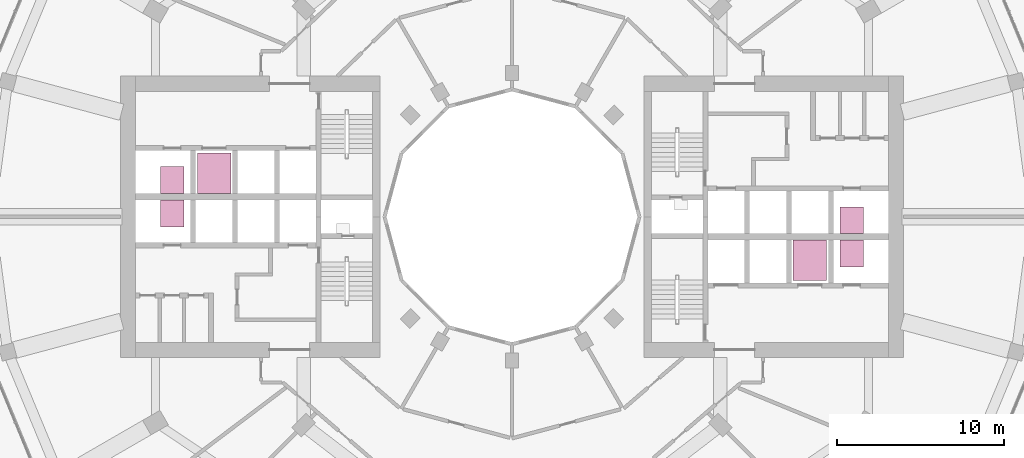
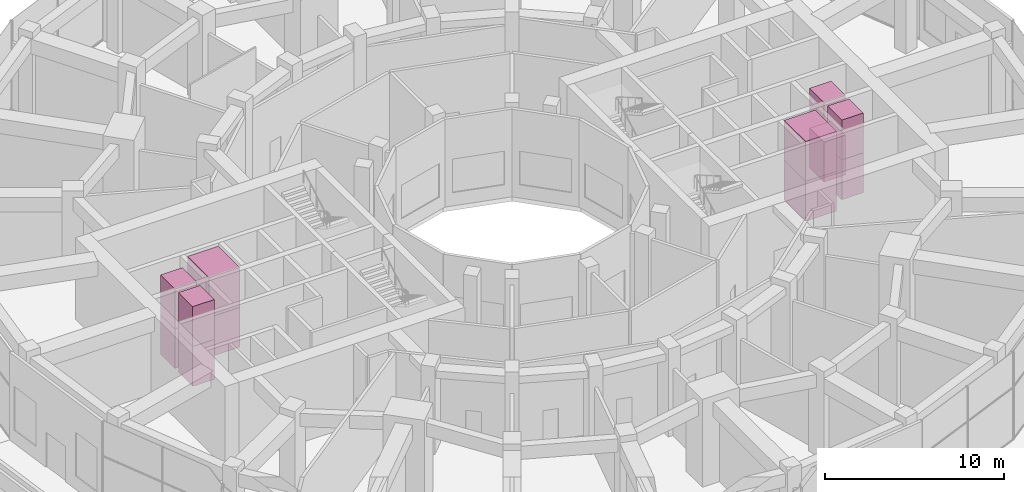
# One storey, part 23 of 23: 12 transport elements.
"""IFC4 building model written with IfcOpenShell, lengths in metres."""

from ifc_helpers import new_model, si_unit, direction, frame, origin, origin_2d, place, context, subcontext, project, spatial, rectangle, extrude, material, type_object, element, save


model = new_model("IFC4")

# Units and contexts
model_context = context("Model", 3, precision=1e-05, world=origin(), true_north=direction((0.0, 1.0)))
body_context = subcontext(model_context, "Body", "Model", "MODEL_VIEW")
ifc_project = project(units=[si_unit("LENGTHUNIT", "METRE"), si_unit("AREAUNIT", "SQUARE_METRE"), si_unit("VOLUMEUNIT", "CUBIC_METRE"), si_unit("PLANEANGLEUNIT", "RADIAN"), si_unit("MASSUNIT", "GRAM", prefix="KILO")], contexts=[model_context])

# Site, building, storey
site_placement = place(None, origin())
site = spatial("IfcSite", under=ifc_project, at=site_placement, CompositionType="ELEMENT")
building_placement = place(site_placement, origin())
building = spatial("IfcBuilding", under=site, at=building_placement, Name="Torre Brocal", CompositionType="ELEMENT")
storey_placement = place(building_placement, frame((0.0, 0.0, 17.800048828125)))
storey = spatial("IfcBuildingStorey", under=building, at=storey_placement, Name="L03", CompositionType="ELEMENT", Elevation=17.800048828125)

# Transport elements
ifc_material_1 = material(Name="Stainless steel AISI 316", Category="steel")
transport_element_type_1 = type_object("IfcTransportElementType", Name="PASSENGER LIFT 2000", PredefinedType="ELEVATOR", material=ifc_material_1)
for number, where, z_axis, x_axis, name in (
    (1, (97.800048828125, 72.39990234375, 0.0), (0.0, 0.0, 1.0), (1.0, 0.0, 0.0), "LOW RISE LIFT E-LR2"),
    (2, (97.800048828125, 72.39990234375, 2.724853515625), (0.0, 0.0, 1.0), (1.0, 0.0, 0.0), "LOW RISE LIFT E-LR2"),
    (3, (62.199951171875, 77.60009765625, 0.0), (0.0, 0.0, 1.0), (1.0, 0.0, 0.0), "LOW RISE LIFT W-LR2"),
    (4, (62.199951171875, 77.60009765625, 2.724853515625), (0.0, 0.0, 1.0), (1.0, 0.0, 0.0), "LOW RISE LIFT W-LR2"),
):
    element("IfcTransportElement", number, at=place(storey_placement, frame(where, z_axis=z_axis, x_axis=x_axis)), inside=storey, type_object=transport_element_type_1, Name=name, PredefinedType="ELEVATOR", context=body_context, shape_type="SweptSolid", body=[
        extrude(rectangle(XDim=2.0, YDim=2.39990234375, at=origin_2d()), origin(), (0.0, 0.0, 1.0), 2.72509765625),
    ])
ifc_material_2 = material(Name="Stainless steel AISI 316", Category="steel")
transport_element_type_2 = type_object("IfcTransportElementType", Name="PASSENGER LIFT 900", PredefinedType="ELEVATOR", material=ifc_material_2)
for number, where, z_axis, x_axis, name in (
    (5, (100.300048828125, 74.800048828125, 0.0), (0.0, 0.0, 1.0), (1.0, 0.0, 0.0), "LOW RISE LIFT E-LR1"),
    (6, (100.300048828125, 74.800048828125, 2.724853515625), (0.0, 0.0, 1.0), (1.0, 0.0, 0.0), "LOW RISE LIFT E-LR1"),
    (7, (100.300048828125, 72.800048828125, 0.0), (0.0, 0.0, 1.0), (1.0, 0.0, 0.0), "LOW RISE LIFT E-LR3"),
    (8, (100.300048828125, 72.800048828125, 2.724853515625), (0.0, 0.0, 1.0), (1.0, 0.0, 0.0), "LOW RISE LIFT E-LR3"),
    (9, (59.699951171875, 75.199951171875, 0.0), (0.0, 0.0, 1.0), (1.0, 0.0, 0.0), "LOW RISE LIFT W-LR1"),
    (10, (59.699951171875, 75.199951171875, 2.724853515625), (0.0, 0.0, 1.0), (1.0, 0.0, 0.0), "LOW RISE LIFT W-LR1"),
    (11, (59.699951171875, 77.199951171875, 0.0), (0.0, 0.0, 1.0), (1.0, 0.0, 0.0), "LOW RISE LIFT W-LR3"),
    (12, (59.699951171875, 77.199951171875, 2.724853515625), (0.0, 0.0, 1.0), (1.0, 0.0, 0.0), "LOW RISE LIFT W-LR3"),
):
    element("IfcTransportElement", number, at=place(storey_placement, frame(where, z_axis=z_axis, x_axis=x_axis)), inside=storey, type_object=transport_element_type_2, Name=name, PredefinedType="ELEVATOR", context=body_context, shape_type="SweptSolid", body=[
        extrude(rectangle(XDim=1.39990234375, YDim=1.60009765625, at=origin_2d()), origin(), (0.0, 0.0, 1.0), 2.72509765625),
    ])

save(model, "model.ifc")
